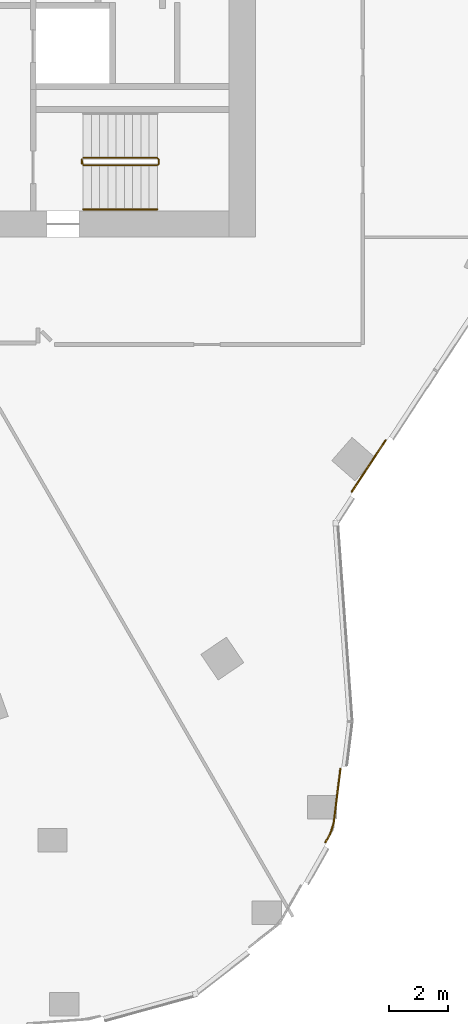
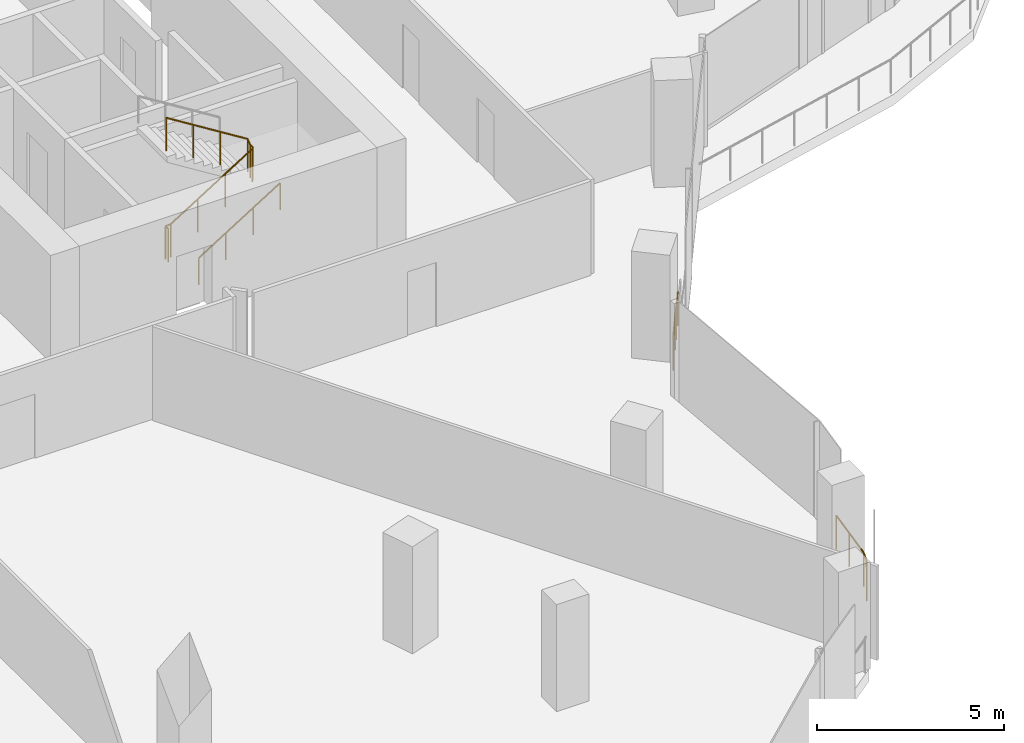
# One storey, part 23 of 26: 8 railings.
"""IFC4 building model written with IfcOpenShell, lengths in metres."""

from ifc_helpers import new_model, si_unit, direction, frame, origin, origin_2d, place, context, subcontext, project, spatial, circle, extrude, material, type_object, element, save


model = new_model("IFC4")

# Units and contexts
model_context = context("Model", 3, precision=1e-05, world=origin(), true_north=direction((0.0, 1.0)))
body_context = subcontext(model_context, "Body", "Model", "MODEL_VIEW")
ifc_project = project(units=[si_unit("LENGTHUNIT", "METRE"), si_unit("AREAUNIT", "SQUARE_METRE"), si_unit("VOLUMEUNIT", "CUBIC_METRE"), si_unit("PLANEANGLEUNIT", "RADIAN"), si_unit("MASSUNIT", "GRAM", prefix="KILO")], contexts=[model_context])

# Site, building, storey
site_placement = place(None, origin())
site = spatial("IfcSite", under=ifc_project, at=site_placement, CompositionType="ELEMENT")
building_placement = place(site_placement, origin())
building = spatial("IfcBuilding", under=site, at=building_placement, Name="Orlundy Tower", CompositionType="ELEMENT")
storey_placement = place(building_placement, frame((0.0, 0.0, 232.0)))
storey = spatial("IfcBuildingStorey", under=building, at=storey_placement, Name="L61", CompositionType="ELEMENT", Elevation=232.0)

# Railings
ifc_material_1 = material(Name="Steel balustrade", Category="steel")
railing_type_1 = type_object("IfcRailingType", Name="Stair Guard 1100", PredefinedType="GUARDRAIL", material=ifc_material_1)
railing_1_placement = place(storey_placement, frame((13.090087890625, -9.5, 0.0)))
element("IfcRailing", 1, at=railing_1_placement, inside=storey, type_object=railing_type_1, Name="L61 ST-E1 stair guard 1", PredefinedType="GUARDRAIL", context=body_context, shape_type="SweptSolid", body=[
    extrude(circle(Radius=0.02392578125, at=origin_2d()), frame((0.0, 0.0, 1.076171875), z_axis=(0.0, 1.0, 0.0), x_axis=(-1.0, 0.0, 0.0)), (0.0, 0.0, 1.0), 0.14990234375),
    extrude(circle(Radius=0.02392578125, at=origin_2d()), frame((0.0, 0.14990234375, 1.076171875), z_axis=(0.18420542264, -0.739530593833, 0.647427882513), x_axis=(0.970351222016, 0.241699205484, 0.0)), (0.0, 0.0, 1.0), 0.270263671875),
    extrude(circle(Radius=0.02392578125, at=origin_2d()), frame((0.0498046875, -0.050048828125, 1.2509765625), z_axis=(0.848007534815, 0.0, 0.529984170421), x_axis=(0.0, 1.0, 0.0)), (0.0, 0.0, 1.0), 2.9716796875),
    extrude(circle(Radius=0.02392578125, at=origin_2d()), frame((2.56982421875, -0.050048828125, 2.826171875), z_axis=(0.707106781187, 0.707106781187, 0.0), x_axis=(-0.707106781187, 0.707106781187, 0.0)), (0.0, 0.0, 1.0), 0.07080078125),
    extrude(circle(Radius=0.02392578125, at=origin_2d()), frame((2.619873046875, 0.0, 2.826171875), z_axis=(0.0, 1.0, 0.0), x_axis=(-1.0, 0.0, 0.0)), (0.0, 0.0, 1.0), 0.14990234375),
    extrude(circle(Radius=0.02392578125, at=origin_2d()), frame((2.619873046875, 0.14990234375, 2.826171875), z_axis=(-0.265065253269, 0.265065253269, 0.927081885822), x_axis=(-0.707106781187, -0.707106781187, 0.0)), (0.0, 0.0, 1.0), 0.188720703125),
    extrude(circle(Radius=0.02392578125, at=origin_2d()), frame((2.56982421875, 0.199951171875, 3.0009765625), z_axis=(-0.848007534815, 0.0, 0.529984170421), x_axis=(0.0, -1.0, 0.0)), (0.0, 0.0, 1.0), 2.9716796875),
    extrude(circle(Radius=0.02099609375, at=origin_2d()), origin(), (0.0, 0.0, 1.0), 1.052001953125),
    extrude(circle(Radius=0.02099609375, at=origin_2d()), frame((0.0, 0.14990234375, 0.0)), (0.0, 0.0, 1.0), 1.052001953125),
    extrude(circle(Radius=0.02099609375, at=origin_2d()), frame((0.0498046875, -0.050048828125, 0.175048828125)), (0.0, 0.0, 1.0), 1.052001953125),
    extrude(circle(Radius=0.02099609375, at=origin_2d()), frame((0.889892578125, -0.050048828125, 0.699951171875)), (0.0, 0.0, 1.0), 1.052001953125),
    extrude(circle(Radius=0.02099609375, at=origin_2d()), frame((1.729736328125, -0.050048828125, 1.22509765625)), (0.0, 0.0, 1.0), 1.052001953125),
    extrude(circle(Radius=0.02099609375, at=origin_2d()), frame((2.56982421875, -0.050048828125, 1.75)), (0.0, 0.0, 1.0), 1.052001953125),
    extrude(circle(Radius=0.02099609375, at=origin_2d()), frame((2.619873046875, 0.0, 1.75)), (0.0, 0.0, 1.0), 1.052001953125),
    extrude(circle(Radius=0.02099609375, at=origin_2d()), frame((2.619873046875, 0.14990234375, 1.75)), (0.0, 0.0, 1.0), 1.052001953125),
    extrude(circle(Radius=0.02099609375, at=origin_2d()), frame((2.56982421875, 0.199951171875, 1.925048828125)), (0.0, 0.0, 1.0), 1.052001953125),
    extrude(circle(Radius=0.02099609375, at=origin_2d()), frame((1.729736328125, 0.199951171875, 2.449951171875)), (0.0, 0.0, 1.0), 1.052001953125),
    extrude(circle(Radius=0.02099609375, at=origin_2d()), frame((0.889892578125, 0.199951171875, 2.97509765625)), (0.0, 0.0, 1.0), 1.052001953125),
    extrude(circle(Radius=0.02099609375, at=origin_2d()), frame((0.0498046875, 0.199951171875, 3.5)), (0.0, 0.0, 1.0), 1.052001953125),
])
ifc_material_2 = material(Name="Steel handrail", Category="steel")
railing_type_2 = type_object("IfcRailingType", Name="Stair Handrail 900", PredefinedType="HANDRAIL", material=ifc_material_2)
railing_2_placement = place(storey_placement, frame((13.139892578125, -11.050048828125, 0.175048828125)))
element("IfcRailing", 2, at=railing_2_placement, inside=storey, type_object=railing_type_2, Name="L61 ST-E1 stair handrail 1", PredefinedType="HANDRAIL", context=body_context, shape_type="SweptSolid", body=[
    extrude(circle(Radius=0.02392578125, at=origin_2d()), frame((0.0, 0.0, 0.8759765625), z_axis=(0.848007534815, 0.0, 0.529984170421), x_axis=(0.0, 1.0, 0.0)), (0.0, 0.0, 1.0), 2.9716796875),
    extrude(circle(Radius=0.02099609375, at=origin_2d()), origin(), (0.0, 0.0, 1.0), 0.851806640625),
    extrude(circle(Radius=0.02099609375, at=origin_2d()), frame((0.840087890625, 0.0, 0.52490234375)), (0.0, 0.0, 1.0), 0.851806640625),
    extrude(circle(Radius=0.02099609375, at=origin_2d()), frame((1.679931640625, 0.0, 1.050048828125)), (0.0, 0.0, 1.0), 0.851806640625),
    extrude(circle(Radius=0.02099609375, at=origin_2d()), frame((2.52001953125, 0.0, 1.574951171875)), (0.0, 0.0, 1.0), 0.851806640625),
])
ifc_material_3 = material(Name="Stainless steel bronze finish", Category="steel")
railing_type_3 = type_object("IfcRailingType", Name="TG1 terrace guard", PredefinedType="GUARDRAIL", material=ifc_material_3)
railing_3_placement = place(storey_placement, frame((21.7783203125, -30.949951171875, 0.0)))
element("IfcRailing", 3, at=railing_3_placement, inside=storey, type_object=railing_type_3, Name="Guard TG-L61-E019", PredefinedType="GUARDRAIL", context=body_context, shape_type="SweptSolid", body=[
    extrude(circle(Radius=0.02490234375, at=origin_2d()), frame((0.0, 0.0, 1.09521484375), z_axis=(-0.123253682733, -0.992375196029, 0.0), x_axis=(0.992375196029, -0.123253682733, 0.0)), (0.0, 0.0, 1.0), 1.000244140625),
    extrude(circle(Radius=0.02490234375, at=origin_2d()), frame((-0.123291015625, -0.99267578125, 1.09521484375), z_axis=(-0.314283083006, -0.949329312587, 0.0), x_axis=(0.949329312587, -0.314283083006, 0.0)), (0.0, 0.0, 1.0), 0.376708984375),
    extrude(circle(Radius=0.02001953125, at=origin_2d()), origin(), (0.0, 0.0, 1.0), 1.070068359375),
    extrude(circle(Radius=0.02001953125, at=origin_2d()), frame((-0.123291015625, -0.99267578125, 0.0)), (0.0, 0.0, 1.0), 1.070068359375),
    extrude(circle(Radius=0.02001953125, at=origin_2d()), frame((-0.24169921875, -1.350341796875, 0.0)), (0.0, 0.0, 1.0), 1.070068359375),
])
railing_4_placement = place(storey_placement, frame((22.7978515625, -19.8583984375, 0.0)))
element("IfcRailing", 4, at=railing_4_placement, inside=storey, type_object=railing_type_3, Name="Guard TG-L61-E021", PredefinedType="GUARDRAIL", context=body_context, shape_type="SweptSolid", body=[
    extrude(circle(Radius=0.02490234375, at=origin_2d()), frame((0.0, 0.0, 1.09521484375), z_axis=(-0.549433184832, -0.835537656486, 0.0), x_axis=(0.835537656486, -0.549433184832, 0.0)), (0.0, 0.0, 1.0), 0.9541015625),
    extrude(circle(Radius=0.02001953125, at=origin_2d()), origin(), (0.0, 0.0, 1.0), 1.070068359375),
    extrude(circle(Radius=0.02001953125, at=origin_2d()), frame((-0.524169921875, -0.797119140625, 0.0)), (0.0, 0.0, 1.0), 1.070068359375),
])
railing_5_placement = place(storey_placement, frame((21.886962890625, -30.0751953125, 0.0)))
element("IfcRailing", 5, at=railing_5_placement, inside=storey, type_object=railing_type_3, Name="Guard TG-L61-E022", PredefinedType="GUARDRAIL", context=body_context, shape_type="SweptSolid", body=[
    extrude(circle(Radius=0.02490234375, at=origin_2d()), frame((0.0, 0.0, 1.09521484375), z_axis=(-0.12325066399, -0.992375570954, 0.0), x_axis=(0.992375570954, -0.12325066399, 0.0)), (0.0, 0.0, 1.0), 0.881591796875),
    extrude(circle(Radius=0.02001953125, at=origin_2d()), origin(), (0.0, 0.0, 1.0), 1.070068359375),
    extrude(circle(Radius=0.02001953125, at=origin_2d()), frame((-0.108642578125, -0.874755859375, 0.0)), (0.0, 0.0, 1.0), 1.070068359375),
])
railing_6_placement = place(storey_placement, frame((23.426025390625, -18.903564453125, 0.0)))
element("IfcRailing", 6, at=railing_6_placement, inside=storey, type_object=railing_type_3, Name="Guard TG-L61-E024", PredefinedType="GUARDRAIL", context=body_context, shape_type="SweptSolid", body=[
    extrude(circle(Radius=0.02490234375, at=origin_2d()), frame((0.0, 0.0, 1.09521484375), z_axis=(-0.549616501476, -0.835417082244, 0.0), x_axis=(0.835417082244, -0.549616501476, 0.0)), (0.0, 0.0, 1.0), 0.6552734375),
    extrude(circle(Radius=0.02001953125, at=origin_2d()), origin(), (0.0, 0.0, 1.0), 1.070068359375),
    extrude(circle(Radius=0.02001953125, at=origin_2d()), frame((-0.360107421875, -0.54736328125, 0.0)), (0.0, 0.0, 1.0), 1.070068359375),
])
railing_7_placement = place(storey_placement, frame((23.06591796875, -19.450927734375, 0.0)))
element("IfcRailing", 7, at=railing_7_placement, inside=storey, type_object=railing_type_3, Name="Guard TG-L61-E026", PredefinedType="GUARDRAIL", context=body_context, shape_type="SweptSolid", body=[
    extrude(circle(Radius=0.02490234375, at=origin_2d()), frame((0.0, 0.0, 1.09521484375), z_axis=(-0.549607308104, -0.835423130443, 0.0), x_axis=(0.835423130443, -0.549607308104, 0.0)), (0.0, 0.0, 1.0), 0.48779296875),
    extrude(circle(Radius=0.02001953125, at=origin_2d()), origin(), (0.0, 0.0, 1.0), 1.070068359375),
    extrude(circle(Radius=0.02001953125, at=origin_2d()), frame((-0.26806640625, -0.407470703125, 0.0)), (0.0, 0.0, 1.0), 1.070068359375),
])
railing_8_placement = place(storey_placement, frame((21.53662109375, -32.30029296875, 0.0)))
element("IfcRailing", 8, at=railing_8_placement, inside=storey, type_object=railing_type_3, Name="Guard TG-L61-E027", PredefinedType="GUARDRAIL", context=body_context, shape_type="SweptSolid", body=[
    extrude(circle(Radius=0.02490234375, at=origin_2d()), frame((0.0, 0.0, 1.09521484375), z_axis=(-0.494075209309, -0.869419166769, 0.0), x_axis=(0.869419166769, -0.494075209309, 0.0)), (0.0, 0.0, 1.0), 0.318603515625),
    extrude(circle(Radius=0.02001953125, at=origin_2d()), origin(), (0.0, 0.0, 1.0), 1.070068359375),
    extrude(circle(Radius=0.02001953125, at=origin_2d()), frame((-0.157470703125, -0.277099609375, 0.0)), (0.0, 0.0, 1.0), 1.070068359375),
])

save(model, "model.ifc")
